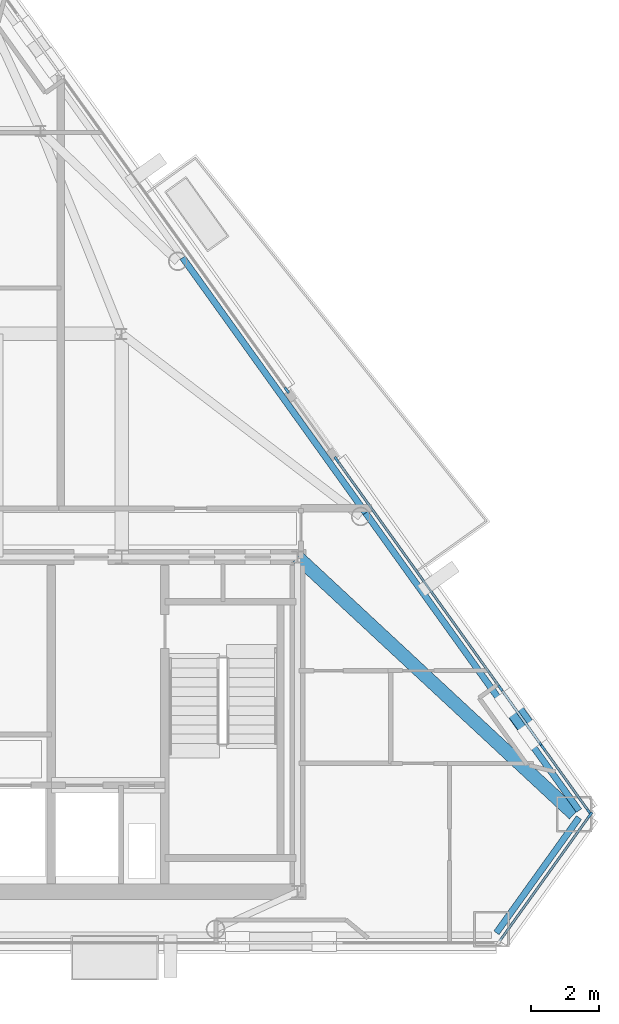
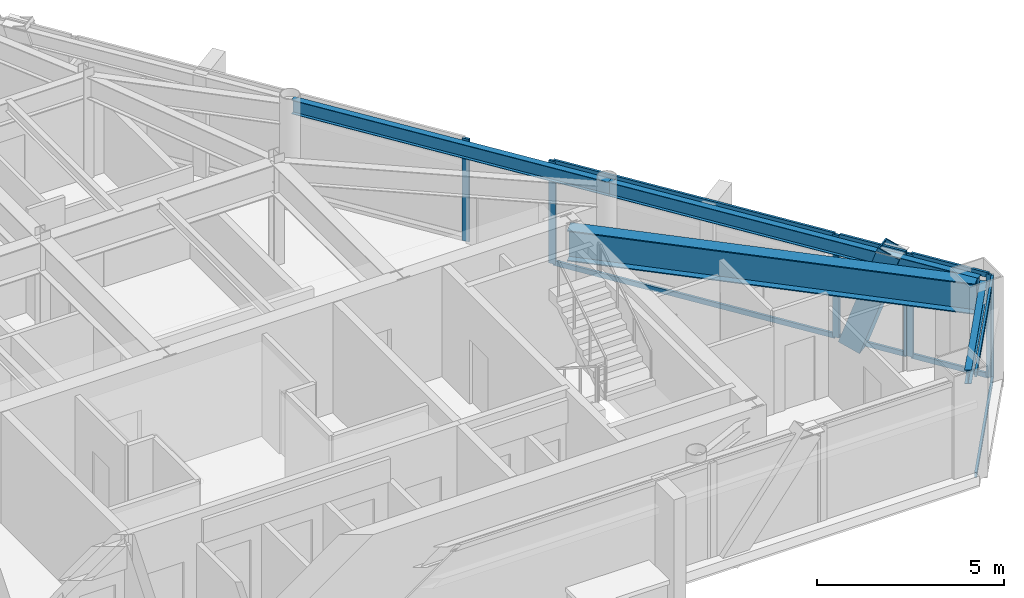
# One storey, part 5 of 11: 16 members, 4 beams, 5 elements without a shape of their own.
"""IFC4 building model written with IfcOpenShell, lengths in metres."""

from ifc_helpers import new_model, si_unit, direction, frame, origin, origin_2d, place, context, subcontext, project, spatial, rectangle, hollow_rectangle, i_section, extrude, material, layer, layer_set, material_profile, profile_set, type_object, element, aggregate, save


model = new_model("IFC4")

# Units and contexts
model_context = context("Model", 3, precision=1e-05, world=origin(), true_north=direction((0.0, 1.0)))
body_context = subcontext(model_context, "Body", "Model", "MODEL_VIEW")
ifc_project = project(units=[si_unit("LENGTHUNIT", "METRE"), si_unit("AREAUNIT", "SQUARE_METRE"), si_unit("VOLUMEUNIT", "CUBIC_METRE"), si_unit("PLANEANGLEUNIT", "RADIAN"), si_unit("MASSUNIT", "GRAM", prefix="KILO")], contexts=[model_context])

# Site, building, storey
site_placement = place(None, origin())
site = spatial("IfcSite", under=ifc_project, at=site_placement, CompositionType="ELEMENT")
building_placement = place(site_placement, origin())
building = spatial("IfcBuilding", under=site, at=building_placement, Name="Talgorran Terracotta Tower", CompositionType="ELEMENT")
storey_placement = place(building_placement, frame((0.0, 0.0, 237.0)))
storey = spatial("IfcBuildingStorey", under=building, at=storey_placement, Name="L62", CompositionType="ELEMENT", Elevation=237.0)

# Beams
ifc_material_1 = material(Name="Steel Grade 350 (350L0)", Category="steel")
ifc_material_profile_1 = material_profile(ifc_material_1, i_section(OverallWidth=0.39990234375, OverallDepth=1.0, WebThickness=0.01611328125, FlangeThickness=0.031005859375, at=origin_2d()), Name="1000WB296")
ifc_profile_set_1 = profile_set([ifc_material_profile_1], Name="Steel Grade 350 (350L0)")
beam_type_1 = type_object("IfcBeamType", Name="BM_1000WB296", PredefinedType="BEAM", material=ifc_profile_set_1)
beam_1_placement = place(storey_placement, frame((12.39990234375, -4.199951171875, 2.844970703125), z_axis=(0.732477257619, -0.68079150044, 0.0), x_axis=(0.68079150044, 0.732477257619, 0.0)))
element("IfcBeam", 1, at=beam_1_placement, inside=storey, type_object=beam_type_1, Name="L62 Floor Girder G18", PredefinedType="BEAM", context=body_context, shape_type="SweptSolid", body=[
    extrude(i_section(OverallWidth=0.39990234375, OverallDepth=1.0, WebThickness=0.01611328125, FlangeThickness=0.031005859375, at=origin_2d()), origin(), (0.0, 0.0, 1.0), 11.16650390625),
])
ifc_material_2 = material(Name="Steel S355 (300PLUS)", Category="steel")
ifc_material_profile_2 = material_profile(ifc_material_2, i_section(OverallWidth=0.18994140625, OverallDepth=0.45703125, WebThickness=0.009033203125, FlangeThickness=0.014404296875, at=origin_2d()), Name="460UB74.6")
ifc_profile_set_2 = profile_set([ifc_material_profile_2], Name="Steel S355 (300PLUS)")
beam_type_2 = type_object("IfcBeamType", Name="BM_SP_460UB74", PredefinedType="SPANDREL", material=ifc_profile_set_2)
beam_2_placement = place(storey_placement, frame((18.283447265625, -15.312744140625, 3.116455078125), z_axis=(0.582692129248, 0.812692981705, 0.0), x_axis=(-0.812692981705, 0.582692129248, 0.0)))
element("IfcBeam", 2, at=beam_2_placement, inside=storey, type_object=beam_type_2, Name="L62 Perimeter Spandrel Beam MC3-MC4", PredefinedType="SPANDREL", context=body_context, shape_type="SweptSolid", body=[
    extrude(i_section(OverallWidth=0.18994140625, OverallDepth=0.45703125, WebThickness=0.009033203125, FlangeThickness=0.014404296875, at=origin_2d()), origin(), (0.0, 0.0, 1.0), 4.190673828125),
])
beam_3_placement = place(storey_placement, frame((20.725341796875, -11.697021484375, 3.116455078125), z_axis=(-0.5826658635, 0.812711813321, 0.0), x_axis=(-0.812711813321, -0.5826658635, 0.0)))
element("IfcBeam", 3, at=beam_3_placement, inside=storey, type_object=beam_type_2, Name="L62 Perimeter Spandrel Beam MC4-FC3", PredefinedType="SPANDREL", context=body_context, shape_type="SweptSolid", body=[
    extrude(i_section(OverallWidth=0.18994140625, OverallDepth=0.45703125, WebThickness=0.009033203125, FlangeThickness=0.014404296875, at=origin_2d()), origin(), (0.0, 0.0, 1.0), 10.831298828125),
])
beam_4_placement = place(storey_placement, frame((14.414306640625, -2.894287109375, 3.116455078125), z_axis=(-0.582665161137, 0.812712316873, 0.0), x_axis=(-0.812712316873, -0.582665161137, 0.0)))
element("IfcBeam", 4, at=beam_4_placement, inside=storey, type_object=beam_type_2, Name="L62 Perimeter Spandrel Beam FC3-FC4", PredefinedType="SPANDREL", context=body_context, shape_type="SweptSolid", body=[
    extrude(i_section(OverallWidth=0.18994140625, OverallDepth=0.45703125, WebThickness=0.009033203125, FlangeThickness=0.014404296875, at=origin_2d()), origin(), (0.0, 0.0, 1.0), 9.283935546875),
])

# Member
ifc_material_profile_3 = material_profile(ifc_material_1, hollow_rectangle(XDim=0.52001953125, YDim=0.659912109375, WallThickness=0.034912109375, at=origin_2d()), Name="WBOX660X520X35")
ifc_profile_set_3 = profile_set([ifc_material_profile_3], Name="Steel Grade 350 (350L0)")
member_type_1 = type_object("IfcMemberType", Name="MB_MEGA_660", PredefinedType="BRACE", material=ifc_profile_set_3)
member_1_placement = place(storey_placement, frame((18.66259765625, -8.510986328125, -0.02490234375), z_axis=(0.1886043759, -0.263107186727, 0.946151677948), x_axis=(0.812752438042, 0.582609195307, 0.0)))
element("IfcMember", 5, at=member_1_placement, inside=storey, type_object=member_type_1, Name="L62 Exterior Face Mega-Brace MB-3 (NEL)", PredefinedType="BRACE", context=body_context, shape_type="SweptSolid", body=[
    extrude(hollow_rectangle(XDim=0.52001953125, YDim=0.659912109375, WallThickness=0.034912109375, at=origin_2d()), origin(), (0.0, 0.0, 1.0), 3.588134765625),
])

# Curtain wall, member
ifc_material_3 = material(Name="High-Wind Unitised Glazing", Category="glass")
ifc_layer = layer(ifc_material_3, 0.2099609375, Name="CW_SYS3_RES_HIGH")
ifc_layer_set = layer_set([ifc_layer], Name="High-Wind Unitised Glazing")
curtain_wall_type = type_object("IfcCurtainWallType", Name="CW_SYS3_RES_HIGH", PredefinedType="NOTDEFINED", material=ifc_layer_set)
curtain_wall_1_placement = place(storey_placement, origin())
curtain_wall_1 = element("IfcCurtainWall", 6, at=curtain_wall_1_placement, inside=storey, type_object=curtain_wall_type, Name="CW-L62-F2", PredefinedType="NOTDEFINED")
ifc_material_4 = material(Name="Architectural Aluminium 6063-T6", Category="aluminium")
ifc_material_profile_4 = material_profile(ifc_material_4, rectangle(XDim=0.070068359375, YDim=0.199951171875, at=origin_2d()), Name="CWM70X200")
ifc_profile_set_4 = profile_set([ifc_material_profile_4], Name="Architectural Aluminium 6063-T6")
member_type_2 = type_object("IfcMemberType", Name="MUL_70X200", PredefinedType="MULLION", material=ifc_profile_set_4)
member_2_placement = place(storey_placement, frame((21.05078125, -11.83056640625, 0.0), z_axis=(0.0, 0.0, 1.0), x_axis=(-0.812714993724, 0.582661427396, 0.0)))
member_2 = element("IfcMember", 7, at=member_2_placement, type_object=member_type_2, Name="CW-L62-2 mullion 2", PredefinedType="MULLION", context=body_context, shape_type="SweptSolid", body=[
    extrude(rectangle(XDim=0.070068359375, YDim=0.199951171875, at=origin_2d()), origin(), (0.0, 0.0, 1.0), 3.344970703125),
])

# Curtain wall, members
curtain_wall_2_placement = place(storey_placement, origin())
curtain_wall_2 = element("IfcCurtainWall", 8, at=curtain_wall_2_placement, inside=storey, type_object=curtain_wall_type, Name="CW-L62-F40", PredefinedType="NOTDEFINED")
member_3_placement = place(storey_placement, frame((21.02734375, -11.740966796875, 0.0), z_axis=(0.0, 0.0, 1.0), x_axis=(-0.81270574708, -0.582674324698, 0.0)))
member_3 = element("IfcMember", 9, at=member_3_placement, type_object=member_type_2, Name="CW-L62-40 mullion 1", PredefinedType="MULLION", context=body_context, shape_type="SweptSolid", body=[
    extrude(rectangle(XDim=0.070068359375, YDim=0.199951171875, at=origin_2d()), origin(), (0.0, 0.0, 1.0), 3.344970703125),
])
member_4_placement = place(storey_placement, frame((19.664306640625, -9.83984375, 0.0), z_axis=(0.0, 0.0, 1.0), x_axis=(-0.81270574708, -0.582674324698, 0.0)))
member_4 = element("IfcMember", 10, at=member_4_placement, type_object=member_type_2, Name="CW-L62-40 mullion 2", PredefinedType="MULLION", context=body_context, shape_type="SweptSolid", body=[
    extrude(rectangle(XDim=0.070068359375, YDim=0.199951171875, at=origin_2d()), origin(), (0.0, 0.0, 1.0), 3.344970703125),
])

# Curtain wall, member
curtain_wall_3_placement = place(storey_placement, origin())
curtain_wall_3 = element("IfcCurtainWall", 11, at=curtain_wall_3_placement, inside=storey, type_object=curtain_wall_type, Name="CW-L62-F40B", PredefinedType="NOTDEFINED")
member_5_placement = place(storey_placement, frame((19.617919921875, -9.77490234375, 0.0), z_axis=(0.0, 0.0, 1.0), x_axis=(-0.812700408888, -0.582681770259, 0.0)))
member_5 = element("IfcMember", 12, at=member_5_placement, type_object=member_type_2, Name="CW-L62-40B mullion 1", PredefinedType="MULLION", context=body_context, shape_type="SweptSolid", body=[
    extrude(rectangle(XDim=0.070068359375, YDim=0.199951171875, at=origin_2d()), origin(), (0.0, 0.0, 1.0), 3.344970703125),
])

# Curtain wall, members
curtain_wall_4_placement = place(storey_placement, origin())
curtain_wall_4 = element("IfcCurtainWall", 13, at=curtain_wall_4_placement, inside=storey, type_object=curtain_wall_type, Name="CW-L62-F40C", PredefinedType="NOTDEFINED")
member_6_placement = place(storey_placement, frame((18.40234375, -8.07958984375, 0.0), z_axis=(0.0, 0.0, 1.0), x_axis=(-0.81270942704, -0.582669191909, 0.0)))
member_6 = element("IfcMember", 14, at=member_6_placement, type_object=member_type_2, Name="CW-L62-40C mullion 1", PredefinedType="MULLION", context=body_context, shape_type="SweptSolid", body=[
    extrude(rectangle(XDim=0.070068359375, YDim=0.199951171875, at=origin_2d()), origin(), (0.0, 0.0, 1.0), 3.344970703125),
])
member_7_placement = place(storey_placement, frame((13.55859375, -1.3232421875, 0.0), z_axis=(0.0, 0.0, 1.0), x_axis=(-0.81270942704, -0.582669191909, 0.0)))
member_7 = element("IfcMember", 15, at=member_7_placement, type_object=member_type_2, Name="CW-L62-40C mullion 2", PredefinedType="MULLION", context=body_context, shape_type="SweptSolid", body=[
    extrude(rectangle(XDim=0.070068359375, YDim=0.199951171875, at=origin_2d()), origin(), (0.0, 0.0, 1.0), 3.344970703125),
])

# Curtain wall, member
curtain_wall_5_placement = place(storey_placement, origin())
curtain_wall_5 = element("IfcCurtainWall", 16, at=curtain_wall_5_placement, inside=storey, type_object=curtain_wall_type, Name="CW-L62-F41", PredefinedType="NOTDEFINED")
member_8_placement = place(storey_placement, frame((12.08447265625, 0.73291015625, 0.0), z_axis=(0.0, 0.0, 1.0), x_axis=(-0.812713410576, -0.582663635617, 0.0)))
member_8 = element("IfcMember", 17, at=member_8_placement, type_object=member_type_2, Name="CW-L62-41 mullion 1", PredefinedType="MULLION", context=body_context, shape_type="SweptSolid", body=[
    extrude(rectangle(XDim=0.070068359375, YDim=0.199951171875, at=origin_2d()), origin(), (0.0, 0.0, 1.0), 3.344970703125),
])
aggregate(curtain_wall_5, [member_8])

# Member
ifc_material_profile_5 = material_profile(ifc_material_4, rectangle(XDim=0.070068359375, YDim=0.159912109375, at=origin_2d()), Name="CWT70X160")
ifc_profile_set_5 = profile_set([ifc_material_profile_5], Name="Architectural Aluminium 6063-T6")
member_type_3 = type_object("IfcMemberType", Name="TRN_70X160", PredefinedType="USERDEFINED", material=ifc_profile_set_5)
member_9_placement = place(storey_placement, frame((18.38330078125, -15.551025390625, 0.034912109375), z_axis=(0.582655627037, 0.812719152157, 0.0), x_axis=(-0.812719152157, 0.582655627037, 0.0)))
member_9 = element("IfcMember", 18, at=member_9_placement, type_object=member_type_3, Name="CW-L62-2 transom 1.1", ObjectType="TRANSOM", PredefinedType="USERDEFINED", context=body_context, shape_type="SweptSolid", body=[
    extrude(rectangle(XDim=0.070068359375, YDim=0.159912109375, at=origin_2d()), origin(), (0.0, 0.0, 1.0), 4.54296875),
])

member_10_placement = place(storey_placement, frame((18.38330078125, -15.551025390625, 3.31005859375), z_axis=(0.582655627037, 0.812719152157, 0.0), x_axis=(-0.812719152157, 0.582655627037, 0.0)))
member_10 = element("IfcMember", 19, at=member_10_placement, type_object=member_type_3, Name="CW-L62-2 transom 1.2", ObjectType="TRANSOM", PredefinedType="USERDEFINED", context=body_context, shape_type="SweptSolid", body=[
    extrude(rectangle(XDim=0.070068359375, YDim=0.159912109375, at=origin_2d()), origin(), (0.0, 0.0, 1.0), 4.54296875),
])

aggregate(curtain_wall_1, [member_2, member_9, member_10])

member_11_placement = place(storey_placement, frame((21.007080078125, -11.712646484375, 0.034912109375), z_axis=(-0.582682410456, 0.812699949886, 0.0), x_axis=(-0.812699949886, -0.582682410456, 0.0)))
member_11 = element("IfcMember", 20, at=member_11_placement, type_object=member_type_3, Name="CW-L62-40 transom 1.1", ObjectType="TRANSOM", PredefinedType="USERDEFINED", context=body_context, shape_type="SweptSolid", body=[
    extrude(rectangle(XDim=0.070068359375, YDim=0.159912109375, at=origin_2d()), origin(), (0.0, 0.0, 1.0), 2.269287109375),
])

member_12_placement = place(storey_placement, frame((21.007080078125, -11.712646484375, 3.31005859375), z_axis=(-0.582682410456, 0.812699949886, 0.0), x_axis=(-0.812699949886, -0.582682410456, 0.0)))
member_12 = element("IfcMember", 21, at=member_12_placement, type_object=member_type_3, Name="CW-L62-40 transom 1.2", ObjectType="TRANSOM", PredefinedType="USERDEFINED", context=body_context, shape_type="SweptSolid", body=[
    extrude(rectangle(XDim=0.070068359375, YDim=0.159912109375, at=origin_2d()), origin(), (0.0, 0.0, 1.0), 2.269287109375),
])

aggregate(curtain_wall_2, [member_3, member_4, member_11, member_12])

member_13_placement = place(storey_placement, frame((19.597412109375, -9.746337890625, 0.034912109375), z_axis=(-0.582668913142, 0.812709626901, 0.0), x_axis=(-0.812709626901, -0.582668913142, 0.0)))
member_13 = element("IfcMember", 22, at=member_13_placement, type_object=member_type_3, Name="CW-L62-40B transom 1.1", ObjectType="TRANSOM", PredefinedType="USERDEFINED", context=body_context, shape_type="SweptSolid", body=[
    extrude(rectangle(XDim=0.070068359375, YDim=0.159912109375, at=origin_2d()), origin(), (0.0, 0.0, 1.0), 1.935791015625),
])

member_14_placement = place(storey_placement, frame((19.597412109375, -9.746337890625, 3.31005859375), z_axis=(-0.582668913142, 0.812709626901, 0.0), x_axis=(-0.812709626901, -0.582668913142, 0.0)))
member_14 = element("IfcMember", 23, at=member_14_placement, type_object=member_type_3, Name="CW-L62-40B transom 1.2", ObjectType="TRANSOM", PredefinedType="USERDEFINED", context=body_context, shape_type="SweptSolid", body=[
    extrude(rectangle(XDim=0.070068359375, YDim=0.159912109375, at=origin_2d()), origin(), (0.0, 0.0, 1.0), 1.935791015625),
])

aggregate(curtain_wall_3, [member_5, member_13, member_14])

member_15_placement = place(storey_placement, frame((18.382080078125, -8.051025390625, 0.034912109375), z_axis=(-0.582688511461, 0.812695575607, 0.0), x_axis=(-0.812695575607, -0.582688511461, 0.0)))
member_15 = element("IfcMember", 24, at=member_15_placement, type_object=member_type_3, Name="CW-L62-40C transom 1.1", ObjectType="TRANSOM", PredefinedType="USERDEFINED", context=body_context, shape_type="SweptSolid", body=[
    extrude(rectangle(XDim=0.070068359375, YDim=0.159912109375, at=origin_2d()), origin(), (0.0, 0.0, 1.0), 8.2431640625),
])

member_16_placement = place(storey_placement, frame((18.382080078125, -8.051025390625, 3.31005859375), z_axis=(-0.582688511461, 0.812695575607, 0.0), x_axis=(-0.812695575607, -0.582688511461, 0.0)))
member_16 = element("IfcMember", 25, at=member_16_placement, type_object=member_type_3, Name="CW-L62-40C transom 1.2", ObjectType="TRANSOM", PredefinedType="USERDEFINED", context=body_context, shape_type="SweptSolid", body=[
    extrude(rectangle(XDim=0.070068359375, YDim=0.159912109375, at=origin_2d()), origin(), (0.0, 0.0, 1.0), 8.2431640625),
])

aggregate(curtain_wall_4, [member_6, member_7, member_15, member_16])

save(model, "model.ifc")
